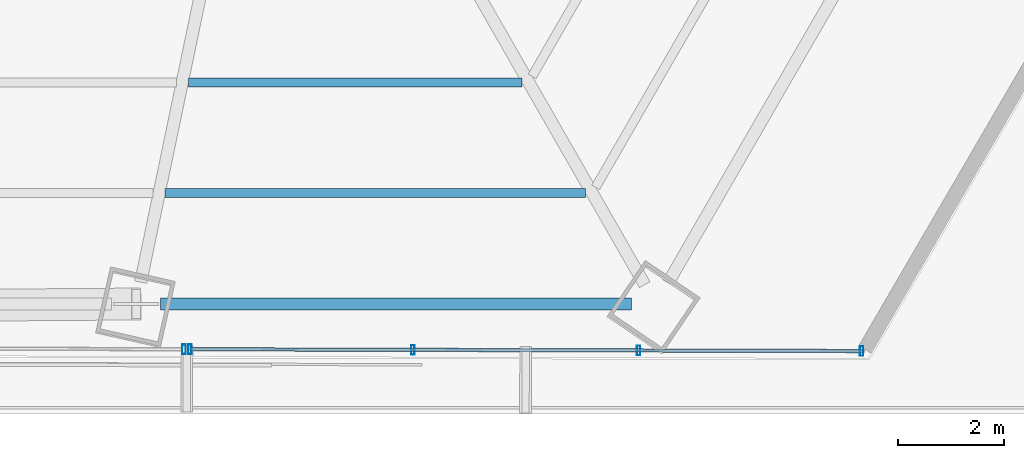
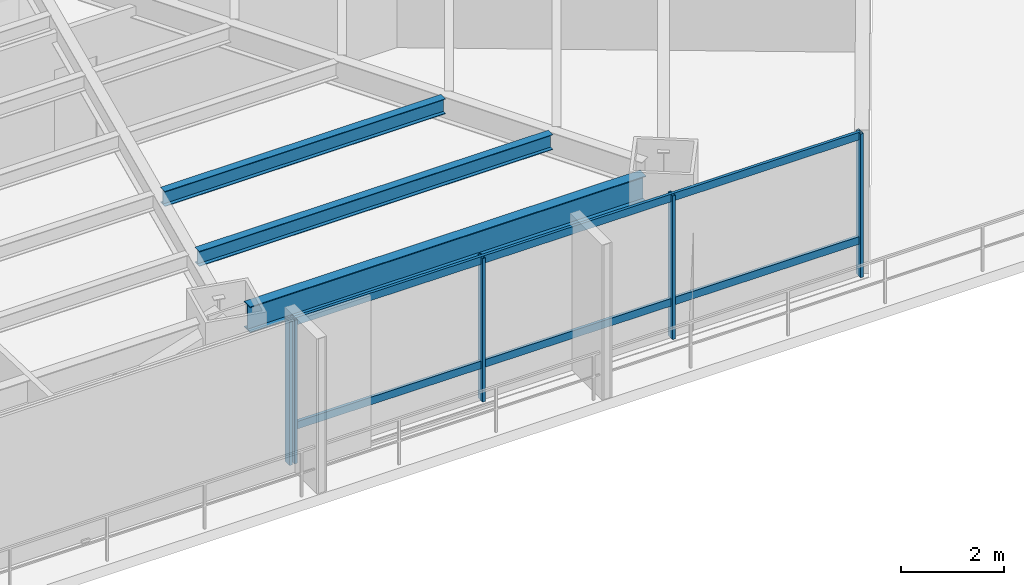
# One storey, part 13 of 35: 7 members, 3 beams, 2 elements without a shape of their own.
"""IFC4 building model written with IfcOpenShell, lengths in metres."""

from ifc_helpers import new_model, si_unit, direction, frame, origin, origin_2d, place, context, subcontext, project, spatial, hollow_rectangle, i_section, extrude, source, transform, mapped, material, material_profile, profile_set, type_object, type_shapes, element, aggregate, save


model = new_model("IFC4")

# Units and contexts
model_context = context("Model", 3, precision=1e-05, world=origin(), true_north=direction((0.0, 1.0)))
body_context = subcontext(model_context, "Body", "Model", "MODEL_VIEW")
ifc_project = project(units=[si_unit("LENGTHUNIT", "METRE"), si_unit("AREAUNIT", "SQUARE_METRE"), si_unit("VOLUMEUNIT", "CUBIC_METRE"), si_unit("PLANEANGLEUNIT", "RADIAN"), si_unit("MASSUNIT", "GRAM", prefix="KILO")], contexts=[model_context])

# Site, building, storey
site_placement = place(None, origin())
site = spatial("IfcSite", under=ifc_project, at=site_placement, CompositionType="ELEMENT")
building_placement = place(site_placement, origin())
building = spatial("IfcBuilding", under=site, at=building_placement, Name="Caelisora Broadcast Tower", CompositionType="ELEMENT")
storey_placement = place(building_placement, frame((0.0, 0.0, 27.60009765625)))
storey = spatial("IfcBuildingStorey", under=building, at=storey_placement, Name="L06", CompositionType="ELEMENT", Elevation=27.60009765625)

# Beams
ifc_material_1 = material(Name="Steel Grade 350 (AS/NZS 3679.1)", Category="steel")
ifc_material_profile_1 = material_profile(ifc_material_1, i_section(OverallWidth=0.22900390625, OverallDepth=0.611572265625, WebThickness=0.011962890625, FlangeThickness=0.01953125, at=origin_2d()), Name="Steel Grade 350 (AS/NZS 3679.1)")
ifc_profile_set_1 = profile_set([ifc_material_profile_1], Name="Steel Grade 350 (AS/NZS 3679.1)")
beam_type_1 = type_object("IfcBeamType", Name="PG03", PredefinedType="BEAM", material=ifc_profile_set_1)
shared_shape_1 = source(origin(), body_context, "Body", "SweptSolid", [
    extrude(i_section(OverallWidth=0.22900390625, OverallDepth=0.611572265625, WebThickness=0.011962890625, FlangeThickness=0.01953125, at=origin_2d()), origin(), (0.0, 0.0, 1.0), 8.86767578125),
])
type_shapes(beam_type_1, [shared_shape_1])
beam_1_placement = place(storey_placement, frame((43.353759765625, 4.872314453125, 3.093994140625), z_axis=(1.0, 0.0, 0.0), x_axis=(0.0, 1.0, 0.0)))
element("IfcBeam", 1, at=beam_1_placement, inside=storey, type_object=beam_type_1, Name="L06 beam PG03", PredefinedType="BEAM", context=body_context, shape_type="MappedRepresentation", body=[
    mapped(shared_shape_1, transform((0.0, 0.0, 0.0), scale=1.0)),
])
ifc_material_profile_2 = material_profile(ifc_material_1, i_section(OverallWidth=0.172119140625, OverallDepth=0.358642578125, WebThickness=0.008056640625, FlangeThickness=0.012939453125, at=origin_2d()), Name="Steel Grade 350 (AS/NZS 3679.1)")
ifc_profile_set_2 = profile_set([ifc_material_profile_2], Name="Steel Grade 350 (AS/NZS 3679.1)")
beam_type_2 = type_object("IfcBeamType", Name="SB02", PredefinedType="JOIST", material=ifc_profile_set_2)
shared_shape_2 = source(origin(), body_context, "Body", "SweptSolid", [
    extrude(i_section(OverallWidth=0.172119140625, OverallDepth=0.358642578125, WebThickness=0.008056640625, FlangeThickness=0.012939453125, at=origin_2d()), origin(), (0.0, 0.0, 1.0), 6.283203125),
])
beam_2_placement = place(storey_placement, frame((43.8759765625, 9.048095703125, 3.220703125), z_axis=(1.0, 0.0, 0.0), x_axis=(0.0, 1.0, 0.0)))
element("IfcBeam", 2, at=beam_2_placement, inside=storey, type_object=beam_type_2, Name="L06 beam SB02", PredefinedType="JOIST", context=body_context, shape_type="MappedRepresentation", body=[
    mapped(shared_shape_2, transform((0.0, 0.0, 0.0), scale=1.0)),
])
shared_shape_3 = source(origin(), body_context, "Body", "SweptSolid", [
    extrude(i_section(OverallWidth=0.172119140625, OverallDepth=0.358642578125, WebThickness=0.008056640625, FlangeThickness=0.012939453125, at=origin_2d()), origin(), (0.0, 0.0, 1.0), 7.91455078125),
])
type_shapes(beam_type_2, [shared_shape_2, shared_shape_3])
beam_3_placement = place(storey_placement, frame((43.441650390625, 6.960205078125, 3.220703125), z_axis=(1.0, 0.0, 0.0), x_axis=(0.0, 1.0, 0.0)))
element("IfcBeam", 3, at=beam_3_placement, inside=storey, type_object=beam_type_2, Name="L06 beam SB02", PredefinedType="JOIST", context=body_context, shape_type="MappedRepresentation", body=[
    mapped(shared_shape_3, transform((0.0, 0.0, 0.0), scale=1.0)),
])

# Curtain wall, members
ifc_material_2 = material(Name="Unitised Aluminium and Low-E Glass Curtain Wall", Category="glass")
curtain_wall_type_1 = type_object("IfcCurtainWallType", Name="CW-Z1", PredefinedType="NOTDEFINED", material=ifc_material_2)
curtain_wall_1_placement = place(storey_placement, origin())
curtain_wall_1 = element("IfcCurtainWall", 4, at=curtain_wall_1_placement, inside=storey, type_object=curtain_wall_type_1, Name="L06 curtain wall CW-Z1", PredefinedType="NOTDEFINED")
ifc_material_3 = material(Name="Aluminium 6063-T6 Anodised Terracotta Bronze", Category="aluminium")
ifc_material_profile_3 = material_profile(ifc_material_3, hollow_rectangle(XDim=0.06494140625, YDim=0.179931640625, WallThickness=0.00341796875, at=origin_2d()), Name="Aluminium 6063-T6 Anodised Terracotta Bronze")
ifc_profile_set_3 = profile_set([ifc_material_profile_3], Name="Aluminium 6063-T6 Anodised Terracotta Bronze")
member_type_1 = type_object("IfcMemberType", Name="CWM-02", PredefinedType="MULLION", material=ifc_profile_set_3)
shared_shape_4 = source(origin(), body_context, "Body", "SweptSolid", [
    extrude(hollow_rectangle(XDim=0.06494140625, YDim=0.179931640625, WallThickness=0.00341796875, at=origin_2d()), origin(), (0.0, 0.0, 1.0), 3.39990234375),
])
type_shapes(member_type_1, [shared_shape_4])
member_1_placement = place(storey_placement, frame((56.56005859375, 3.986083984375, 0.0), z_axis=(0.0, 0.0, 1.0), x_axis=(1.0, 0.0, 0.0)))
member_1 = element("IfcMember", 5, at=member_1_placement, type_object=member_type_1, Name="L06-CW-B05 mullion #0", PredefinedType="MULLION", context=body_context, shape_type="MappedRepresentation", body=[
    mapped(shared_shape_4, transform((0.0, 0.0, 0.0), scale=1.0)),
])
member_2_placement = place(storey_placement, frame((52.3583984375, 3.99755859375, 0.0), z_axis=(0.0, 0.0, 1.0), x_axis=(1.0, 0.0, 0.0)))
member_2 = element("IfcMember", 6, at=member_2_placement, type_object=member_type_1, Name="L06-CW-B05 mullion #1", PredefinedType="MULLION", context=body_context, shape_type="MappedRepresentation", body=[
    mapped(shared_shape_4, transform((0.0, 0.0, 0.0), scale=1.0)),
])
member_3_placement = place(storey_placement, frame((48.10693359375, 4.009033203125, 0.0), z_axis=(0.0, 0.0, 1.0), x_axis=(1.0, 0.0, 0.0)))
member_3 = element("IfcMember", 7, at=member_3_placement, type_object=member_type_1, Name="L06-CW-B05 mullion #2", PredefinedType="MULLION", context=body_context, shape_type="MappedRepresentation", body=[
    mapped(shared_shape_4, transform((0.0, 0.0, 0.0), scale=1.0)),
])
member_4_placement = place(storey_placement, frame((43.905517578125, 4.0205078125, 0.0), z_axis=(0.0, 0.0, 1.0), x_axis=(1.0, 0.0, 0.0)))
member_4 = element("IfcMember", 8, at=member_4_placement, type_object=member_type_1, Name="L06-CW-B05 mullion #3", PredefinedType="MULLION", context=body_context, shape_type="MappedRepresentation", body=[
    mapped(shared_shape_4, transform((0.0, 0.0, 0.0), scale=1.0)),
])

# Curtain wall, member
ifc_material_4 = material(Name="Unitised Aluminium Insulated Shadow-Box Spandrel Curtain Wall", Category="aluminium")
curtain_wall_type_2 = type_object("IfcCurtainWallType", Name="CW-SP1", PredefinedType="NOTDEFINED", material=ifc_material_4)
curtain_wall_2_placement = place(storey_placement, origin())
curtain_wall_2 = element("IfcCurtainWall", 9, at=curtain_wall_2_placement, inside=storey, type_object=curtain_wall_type_2, Name="L06 curtain wall CW-SP1", PredefinedType="NOTDEFINED")
member_5_placement = place(storey_placement, frame((43.79541015625, 4.020751953125, 0.0), z_axis=(0.0, 0.0, 1.0), x_axis=(1.0, 0.0, 0.0)))
member_5 = element("IfcMember", 10, at=member_5_placement, type_object=member_type_1, Name="L06-CW-B06 mullion #0", PredefinedType="MULLION", context=body_context, shape_type="MappedRepresentation", body=[
    mapped(shared_shape_4, transform((0.0, 0.0, 0.0), scale=1.0)),
])
aggregate(curtain_wall_2, [member_5])

# Member
ifc_material_profile_4 = material_profile(ifc_material_3, hollow_rectangle(XDim=0.06494140625, YDim=0.179931640625, WallThickness=0.00341796875, at=origin_2d()), Name="Aluminium 6063-T6 Anodised Terracotta Bronze")
ifc_profile_set_4 = profile_set([ifc_material_profile_4], Name="Aluminium 6063-T6 Anodised Terracotta Bronze")
member_type_2 = type_object("IfcMemberType", Name="CWT-01", PredefinedType="USERDEFINED", material=ifc_profile_set_4)
shared_shape_5 = source(origin(), body_context, "Body", "SweptSolid", [
    extrude(hollow_rectangle(XDim=0.06494140625, YDim=0.179931640625, WallThickness=0.00341796875, at=origin_2d()), origin(), (0.0, 0.0, 1.0), 12.654541015625),
])
type_shapes(member_type_2, [shared_shape_5])
member_6_placement = place(storey_placement, frame((56.56005859375, 3.986083984375, 0.849853515625), z_axis=(-0.999996300073, 0.002720264664, 0.0), x_axis=(-0.002720264664, -0.999996300073, 0.0)))
member_6 = element("IfcMember", 11, at=member_6_placement, type_object=member_type_2, Name="L06-CW-B05 transom #1", ObjectType="TRANSOM", PredefinedType="USERDEFINED", context=body_context, shape_type="MappedRepresentation", body=[
    mapped(shared_shape_5, transform((0.0, 0.0, 0.0), scale=1.0)),
])

member_7_placement = place(storey_placement, frame((56.56005859375, 3.986083984375, 3.31982421875), z_axis=(-0.999996300073, 0.002720264664, 0.0), x_axis=(-0.002720264664, -0.999996300073, 0.0)))
member_7 = element("IfcMember", 12, at=member_7_placement, type_object=member_type_2, Name="L06-CW-B05 transom #2", ObjectType="TRANSOM", PredefinedType="USERDEFINED", context=body_context, shape_type="MappedRepresentation", body=[
    mapped(shared_shape_5, transform((0.0, 0.0, 0.0), scale=1.0)),
])

aggregate(curtain_wall_1, [member_1, member_2, member_3, member_4, member_6, member_7])

save(model, "model.ifc")
